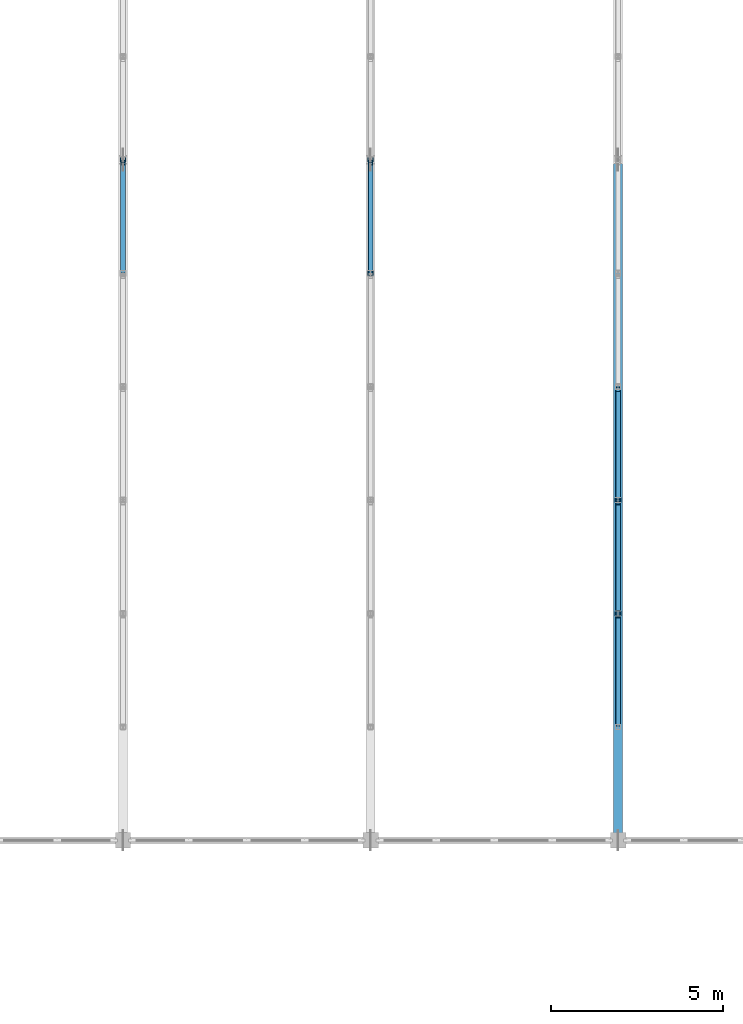
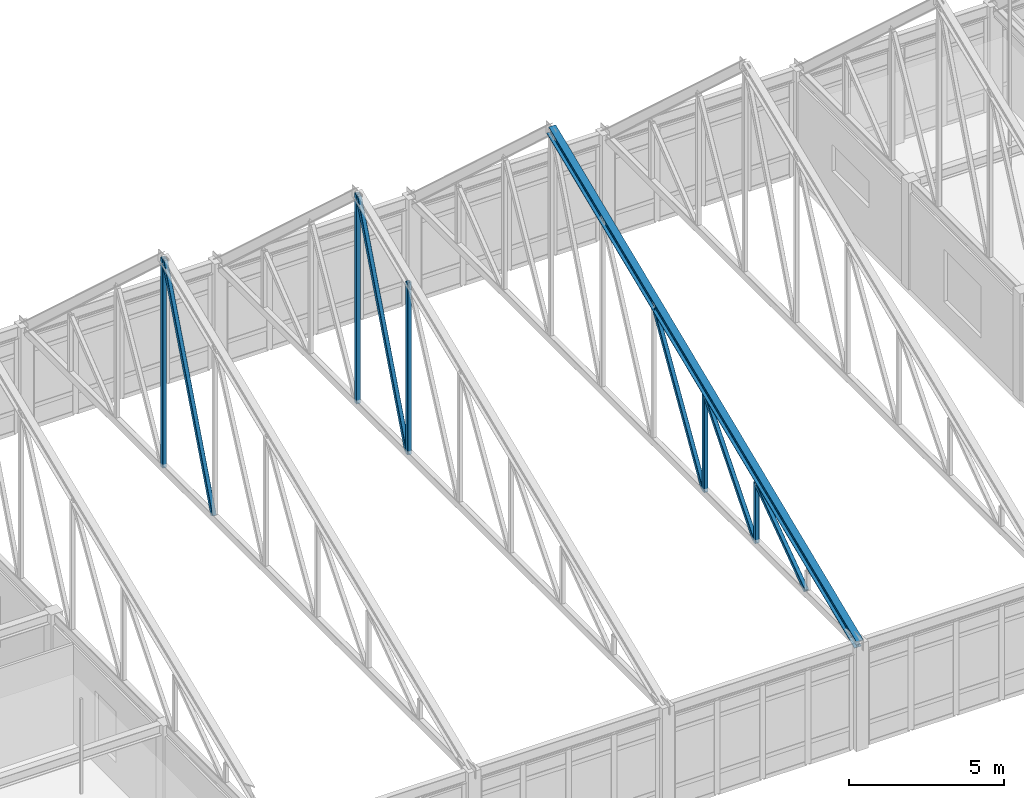
# One storey, part 25 of 136: 11 members.
"""IFC4 building model written with IfcOpenShell, lengths in metres."""

from ifc_helpers import new_model, si_unit, direction, frame, origin, origin_2d, place, context, subcontext, project, spatial, hollow_rectangle, i_section, extrude, material, material_profile, profile_set, type_object, element, save


model = new_model("IFC4")

# Units and contexts
model_context = context("Model", 3, precision=1e-05, world=origin(), true_north=direction((0.0, 1.0)))
body_context = subcontext(model_context, "Body", "Model", "MODEL_VIEW")
ifc_project = project(units=[si_unit("LENGTHUNIT", "METRE"), si_unit("AREAUNIT", "SQUARE_METRE"), si_unit("VOLUMEUNIT", "CUBIC_METRE"), si_unit("PLANEANGLEUNIT", "RADIAN"), si_unit("MASSUNIT", "GRAM", prefix="KILO")], contexts=[model_context])

# Site, building, storey
site_placement = place(None, origin())
site = spatial("IfcSite", under=ifc_project, at=site_placement, CompositionType="ELEMENT")
building_placement = place(site_placement, origin())
building = spatial("IfcBuilding", under=site, at=building_placement, Name="Koriwan Promenade Central Fire Station", CompositionType="ELEMENT")
storey_placement = place(building_placement, frame((0.0, 0.0, 5.39990234375)))
storey = spatial("IfcBuildingStorey", under=building, at=storey_placement, Name="L01", CompositionType="ELEMENT", Elevation=5.39990234375)

# Members
ifc_material_1 = material(Name="Steel ASTM A992 Grade 50", Category="steel")
ifc_material_profile_1 = material_profile(ifc_material_1, i_section(OverallWidth=0.257080078125, OverallDepth=0.363037109375, WebThickness=0.012939453125, FlangeThickness=0.021728515625, FilletRadius=0.014892578125, at=origin_2d()), Name="W360x122")
ifc_profile_set_1 = profile_set([ifc_material_profile_1], Name="Steel ASTM A992 Grade 50")
member_type_1 = type_object("IfcMemberType", Name="Member_CHORD_W360x122", PredefinedType="CHORD", material=ifc_profile_set_1)
member_1_placement = place(storey_placement, frame((86.39990234375, 43.199951171875, 4.02001953125), z_axis=(0.0, 0.923565717983, 0.383440170777), x_axis=(-1.0, 0.0, 0.0)))
element("IfcMember", 1, at=member_1_placement, inside=storey, type_object=member_type_1, Name="TR_V1_05 south top chord", PredefinedType="CHORD", context=body_context, shape_type="SweptSolid", body=[
    extrude(i_section(OverallWidth=0.257080078125, OverallDepth=0.363037109375, WebThickness=0.012939453125, FlangeThickness=0.021728515625, FilletRadius=0.014892578125, at=origin_2d()), origin(), (0.0, 0.0, 1.0), 21.438720703125),
])
ifc_material_2 = material(Name="Steel ASTM A500 Grade C", Category="steel")
ifc_material_profile_2 = material_profile(ifc_material_2, hollow_rectangle(XDim=0.14990234375, YDim=0.14990234375, WallThickness=0.008056640625, InnerFilletRadius=0.008056640625, OuterFilletRadius=0.01611328125, at=origin_2d()), Name="HSS150x150x8")
ifc_profile_set_2 = profile_set([ifc_material_profile_2], Name="Steel ASTM A500 Grade C")
member_type_2 = type_object("IfcMemberType", Name="Member_STRUT_HSS150x150x8", PredefinedType="STRUT", material=ifc_profile_set_2)
member_2_placement = place(storey_placement, frame((72.0, 63.0, 4.02001953125), z_axis=(0.0, 0.0, 1.0), x_axis=(1.0, 0.0, 0.0)))
element("IfcMember", 2, at=member_2_placement, inside=storey, type_object=member_type_2, Name="TR_V1_03 vertical 6", PredefinedType="STRUT", context=body_context, shape_type="SweptSolid", body=[
    extrude(hollow_rectangle(XDim=0.14990234375, YDim=0.14990234375, WallThickness=0.008056640625, InnerFilletRadius=0.008056640625, OuterFilletRadius=0.01611328125, at=origin_2d()), origin(), (0.0, 0.0, 1.0), 8.220458984375),
])
member_3_placement = place(storey_placement, frame((72.0, 59.780029296875, 4.070068359375), z_axis=(0.0, 0.360647144455, 0.932702330434), x_axis=(-1.0, 0.0, 0.0)))
element("IfcMember", 3, at=member_3_placement, inside=storey, type_object=member_type_2, Name="TR_V1_03 web diagonal 6", PredefinedType="STRUT", context=body_context, shape_type="SweptSolid", body=[
    extrude(hollow_rectangle(XDim=0.14990234375, YDim=0.14990234375, WallThickness=0.008056640625, InnerFilletRadius=0.008056640625, OuterFilletRadius=0.01611328125, at=origin_2d()), origin(), (0.0, 0.0, 1.0), 8.706298828125),
])
member_4_placement = place(storey_placement, frame((79.199951171875, 59.699951171875, 4.02001953125), z_axis=(0.0, 0.0, 1.0), x_axis=(1.0, 0.0, 0.0)))
element("IfcMember", 4, at=member_4_placement, inside=storey, type_object=member_type_2, Name="TR_V1_04 vertical 5", PredefinedType="STRUT", context=body_context, shape_type="SweptSolid", body=[
    extrude(hollow_rectangle(XDim=0.14990234375, YDim=0.14990234375, WallThickness=0.008056640625, InnerFilletRadius=0.008056640625, OuterFilletRadius=0.01611328125, at=origin_2d()), origin(), (0.0, 0.0, 1.0), 6.753662109375),
])
member_5_placement = place(storey_placement, frame((79.199951171875, 63.0, 4.02001953125), z_axis=(0.0, 0.0, 1.0), x_axis=(1.0, 0.0, 0.0)))
element("IfcMember", 5, at=member_5_placement, inside=storey, type_object=member_type_2, Name="TR_V1_04 vertical 6", PredefinedType="STRUT", context=body_context, shape_type="SweptSolid", body=[
    extrude(hollow_rectangle(XDim=0.14990234375, YDim=0.14990234375, WallThickness=0.008056640625, InnerFilletRadius=0.008056640625, OuterFilletRadius=0.01611328125, at=origin_2d()), origin(), (0.0, 0.0, 1.0), 8.220458984375),
])
member_6_placement = place(storey_placement, frame((79.199951171875, 59.780029296875, 4.070068359375), z_axis=(0.0, 0.360647144455, 0.932702330434), x_axis=(-1.0, 0.0, 0.0)))
element("IfcMember", 6, at=member_6_placement, inside=storey, type_object=member_type_2, Name="TR_V1_04 web diagonal 6", PredefinedType="STRUT", context=body_context, shape_type="SweptSolid", body=[
    extrude(hollow_rectangle(XDim=0.14990234375, YDim=0.14990234375, WallThickness=0.008056640625, InnerFilletRadius=0.008056640625, OuterFilletRadius=0.01611328125, at=origin_2d()), origin(), (0.0, 0.0, 1.0), 8.706298828125),
])
member_7_placement = place(storey_placement, frame((86.39990234375, 49.800048828125, 4.02001953125), z_axis=(0.0, 0.0, 1.0), x_axis=(1.0, 0.0, 0.0)))
element("IfcMember", 7, at=member_7_placement, inside=storey, type_object=member_type_2, Name="TR_V1_05 vertical 2", PredefinedType="STRUT", context=body_context, shape_type="SweptSolid", body=[
    extrude(hollow_rectangle(XDim=0.14990234375, YDim=0.14990234375, WallThickness=0.008056640625, InnerFilletRadius=0.008056640625, OuterFilletRadius=0.01611328125, at=origin_2d()), origin(), (0.0, 0.0, 1.0), 2.353759765625),
])
member_8_placement = place(storey_placement, frame((86.39990234375, 53.10009765625, 4.02001953125), z_axis=(0.0, 0.0, 1.0), x_axis=(1.0, 0.0, 0.0)))
element("IfcMember", 8, at=member_8_placement, inside=storey, type_object=member_type_2, Name="TR_V1_05 vertical 3", PredefinedType="STRUT", context=body_context, shape_type="SweptSolid", body=[
    extrude(hollow_rectangle(XDim=0.14990234375, YDim=0.14990234375, WallThickness=0.008056640625, InnerFilletRadius=0.008056640625, OuterFilletRadius=0.01611328125, at=origin_2d()), origin(), (0.0, 0.0, 1.0), 3.8203125),
])
member_9_placement = place(storey_placement, frame((86.39990234375, 46.580078125, 4.070068359375), z_axis=(0.0, 0.812399692359, 0.583100968834), x_axis=(-1.0, 0.0, 0.0)))
element("IfcMember", 9, at=member_9_placement, inside=storey, type_object=member_type_2, Name="TR_V1_05 web diagonal 2", PredefinedType="STRUT", context=body_context, shape_type="SweptSolid", body=[
    extrude(hollow_rectangle(XDim=0.14990234375, YDim=0.14990234375, WallThickness=0.008056640625, InnerFilletRadius=0.008056640625, OuterFilletRadius=0.01611328125, at=origin_2d()), origin(), (0.0, 0.0, 1.0), 3.864990234375),
])
member_10_placement = place(storey_placement, frame((86.39990234375, 49.8798828125, 4.070068359375), z_axis=(0.0, 0.645015567138, 0.764169430264), x_axis=(-1.0, 0.0, 0.0)))
element("IfcMember", 10, at=member_10_placement, inside=storey, type_object=member_type_2, Name="TR_V1_05 web diagonal 3", PredefinedType="STRUT", context=body_context, shape_type="SweptSolid", body=[
    extrude(hollow_rectangle(XDim=0.14990234375, YDim=0.14990234375, WallThickness=0.008056640625, InnerFilletRadius=0.008056640625, OuterFilletRadius=0.01611328125, at=origin_2d()), origin(), (0.0, 0.0, 1.0), 4.868408203125),
])
member_11_placement = place(storey_placement, frame((86.39990234375, 53.179931640625, 4.070068359375), z_axis=(0.0, 0.517878675353, 0.855454076859), x_axis=(-1.0, 0.0, 0.0)))
element("IfcMember", 11, at=member_11_placement, inside=storey, type_object=member_type_2, Name="TR_V1_05 web diagonal 4", PredefinedType="STRUT", context=body_context, shape_type="SweptSolid", body=[
    extrude(hollow_rectangle(XDim=0.14990234375, YDim=0.14990234375, WallThickness=0.008056640625, InnerFilletRadius=0.008056640625, OuterFilletRadius=0.01611328125, at=origin_2d()), origin(), (0.0, 0.0, 1.0), 6.0634765625),
])

save(model, "model.ifc")
